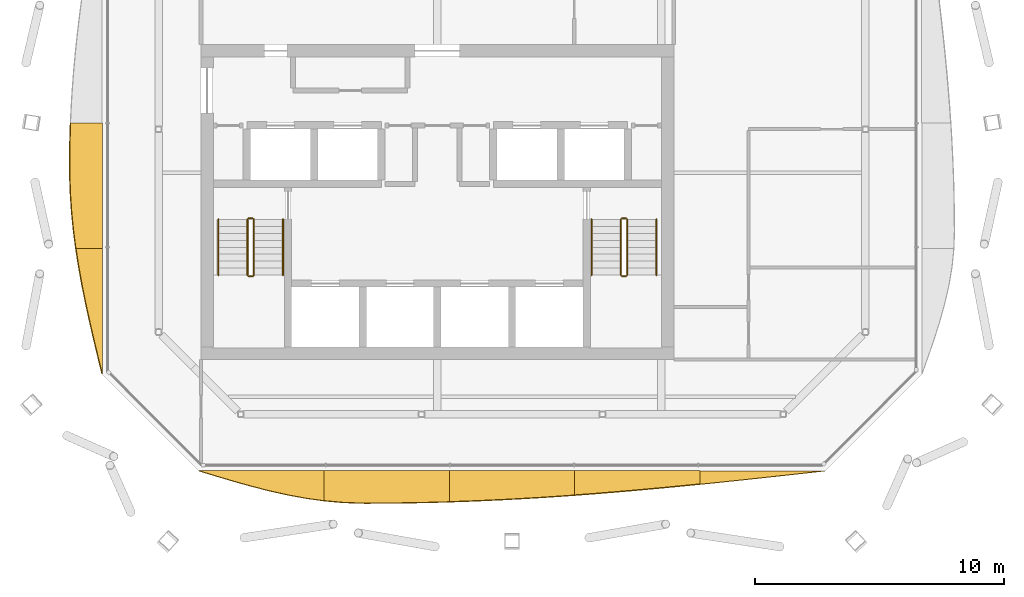
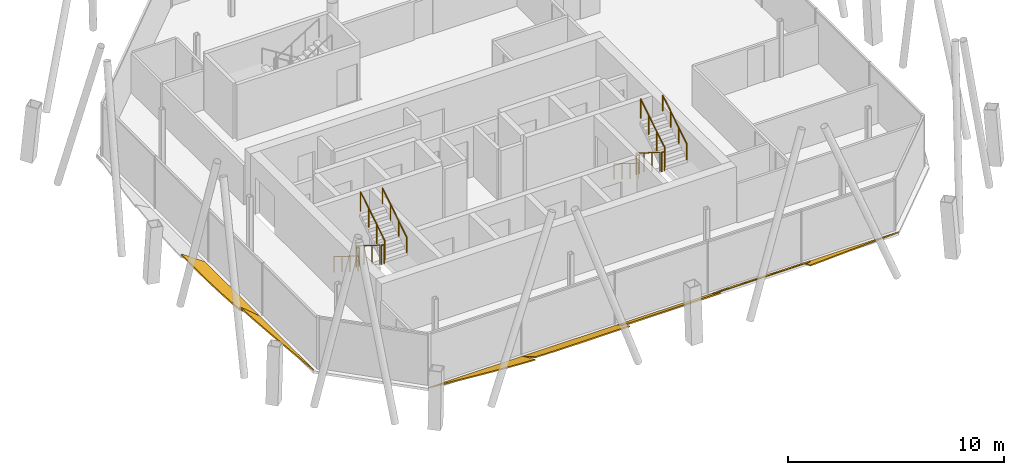
# One storey, part 12 of 14: 12 railings, 7 shading devices.
"""IFC4 building model written with IfcOpenShell, lengths in metres."""

import ifcopenshell
import ifcopenshell.guid

model = None  # the IFC model being written
_history = None  # IfcOwnerHistory: only IFC2X3 demands one
_inside = {}  # id of a spatial element -> (the spatial element, [elements in it])
_under = {}  # id of a project, library or spatial element -> (it, [spatial elements below it])
_declared = {}  # id of a project -> (the project, [libraries it declares])
_typed = {}  # id of a type object -> (the type object, [elements of that type])
_made_of = {}  # id of a material, layer set ... -> (it, [elements and type objects made of it])


def new_model(schema):
    """Start an empty IFC model of exactly this schema.

    Asked for "IFC4X3", IfcOpenShell would pick the latest addendum, in which some entities
    have other attributes; the version numbers below select the first issue.
    IFC2X3 requires an IfcOwnerHistory on every rooted entity: one is made here for all.
    """
    global model, _history
    if schema == "IFC4X3":
        model = ifcopenshell.file(schema_version=(4, 3, 0, 0))
    else:
        model = ifcopenshell.file(schema=schema)
    _inside.clear()
    _under.clear()
    _declared.clear()
    _typed.clear()
    _made_of.clear()
    _history = None
    if model.schema == "IFC2X3":
        org = make("IfcOrganization", Name="unknown")
        user = make(
            "IfcPersonAndOrganization",
            ThePerson=make("IfcPerson", FamilyName="unknown"),
            TheOrganization=org,
        )
        app = make(
            "IfcApplication",
            ApplicationDeveloper=org,
            Version="unknown",
            ApplicationFullName="unknown",
            ApplicationIdentifier="unknown",
        )
        _history = make(
            "IfcOwnerHistory",
            OwningUser=user,
            OwningApplication=app,
            ChangeAction="ADDED",
            CreationDate=0,
        )
    return model


def make(cls, **values):
    """One entity of the class cls with the attributes given. An attribute that is None is left unset."""
    return model.create_entity(
        cls, **{name: value for name, value in values.items() if value is not None}
    )


def rooted(cls, **values):
    """An entity with a GlobalId (a new one), such as an element, a storey or a relation."""
    return make(cls, GlobalId=ifcopenshell.guid.new(), OwnerHistory=_history, **values)


def si_unit(unit_type, name, prefix=None):
    """IfcSIUnit, for example si_unit("LENGTHUNIT", "METRE", prefix="MILLI")."""
    return make("IfcSIUnit", UnitType=unit_type, Prefix=prefix, Name=name)


def assignment(units):
    """IfcUnitAssignment: the units of a project."""
    return None if units is None else make("IfcUnitAssignment", Units=units)


def point(xyz):
    """IfcCartesianPoint."""
    return None if xyz is None else make("IfcCartesianPoint", Coordinates=xyz)


def direction(xyz):
    """IfcDirection."""
    return None if xyz is None else make("IfcDirection", DirectionRatios=xyz)


def frame(location, z_axis=None, x_axis=None):
    """IfcAxis2Placement3D, a coordinate frame: its origin and axes. An axis left out is left unset."""
    return make(
        "IfcAxis2Placement3D",
        Location=point(location),
        Axis=direction(z_axis),
        RefDirection=direction(x_axis),
    )


def frame_2d(location, x_axis=None):
    """IfcAxis2Placement2D, a coordinate frame in the plane: its origin and x axis."""
    return make(
        "IfcAxis2Placement2D", Location=point(location), RefDirection=direction(x_axis)
    )


def origin():
    """The frame at (0, 0, 0) with its axes left unset."""
    return frame((0.0, 0.0, 0.0))


def origin_2d():
    """The frame at (0, 0) in the plane with its x axis left unset."""
    return frame_2d((0.0, 0.0))


def place(relative_to, where):
    """IfcLocalPlacement: puts the frame where relative to a parent placement (None: the world)."""
    return make(
        "IfcLocalPlacement", PlacementRelTo=relative_to, RelativePlacement=where
    )


def context(
    kind, dimensions, precision=None, world=None, true_north=None, identifier=None
):
    """IfcGeometricRepresentationContext, for example the 3D "Model" context."""
    return make(
        "IfcGeometricRepresentationContext",
        ContextIdentifier=identifier,
        ContextType=kind,
        CoordinateSpaceDimension=dimensions,
        Precision=precision,
        WorldCoordinateSystem=world,
        TrueNorth=true_north,
    )


def subcontext(parent, identifier, kind, view, scale=None):
    """IfcGeometricRepresentationSubContext, for example "Body" below "Model"."""
    return make(
        "IfcGeometricRepresentationSubContext",
        ContextIdentifier=identifier,
        ContextType=kind,
        ParentContext=parent,
        TargetScale=scale,
        TargetView=view,
    )


def project(units=None, contexts=None):
    """IfcProject with its units and contexts."""
    return rooted(
        "IfcProject",
        Name="project",
        RepresentationContexts=contexts,
        UnitsInContext=assignment(units),
    )


def spatial(cls, under=None, at=None, **own):
    """A site, building, storey or space (cls), placed at a placement, below another one or the project."""
    s = rooted(cls, ObjectPlacement=at, **own)
    if under is not None:
        _under.setdefault(under.id(), (under, []))[1].append(s)
    return s


def polyline(points):
    """IfcPolyline through the points."""
    return make("IfcPolyline", Points=[point(p) for p in points])


def profile(cls, at=None, kind="AREA", **sizes):
    """A parametric profile (cls). Its sizes go by their IFC names, for example OverallWidth=200.0."""
    return make(cls, ProfileType=kind, Position=at, **sizes)


def circle(**sizes):
    """IfcCircleProfileDef."""
    return profile("IfcCircleProfileDef", **sizes)


def outline(outer, holes=None, kind="AREA"):
    """IfcArbitraryClosedProfileDef: a profile drawn as a closed curve; with holes, ...WithVoids."""
    if holes is None:
        return make("IfcArbitraryClosedProfileDef", ProfileType=kind, OuterCurve=outer)
    return make(
        "IfcArbitraryProfileDefWithVoids",
        ProfileType=kind,
        OuterCurve=outer,
        InnerCurves=holes,
    )


def extrude(swept, where, along, depth):
    """IfcExtrudedAreaSolid: the profile swept, set in the frame where, extruded along a direction by depth."""
    return make(
        "IfcExtrudedAreaSolid",
        SweptArea=swept,
        Position=where,
        ExtrudedDirection=direction(along),
        Depth=depth,
    )


def shape(context_of_items, identifier, shape_type, items):
    """IfcShapeRepresentation: the items that make up one representation, for example the "Body"."""
    return make(
        "IfcShapeRepresentation",
        ContextOfItems=context_of_items,
        RepresentationIdentifier=identifier,
        RepresentationType=shape_type,
        Items=items,
    )


def material(Name=None, Category=None):
    """IfcMaterial."""
    return make("IfcMaterial", Name=Name, Category=Category)


def layer(
    of_material, thickness, ventilated=None, Name=None, Category=None, Priority=None
):
    """IfcMaterialLayer: one layer of a wall or slab, of a material (None: an air gap)."""
    return make(
        "IfcMaterialLayer",
        Material=of_material,
        LayerThickness=thickness,
        IsVentilated=ventilated,
        Name=Name,
        Category=Category,
        Priority=Priority,
    )


def layer_set(layers, Name=None):
    """IfcMaterialLayerSet."""
    return make("IfcMaterialLayerSet", MaterialLayers=layers, LayerSetName=Name)


def made_of(thing, what):
    """Note that an element or type object is made of a material, layer set ...; save() writes the relation."""
    if what is not None:
        _made_of.setdefault(what.id(), (what, []))[1].append(thing)
    return thing


def type_object(cls, material=None, **own):
    """A type object (cls), such as IfcWallType, which elements share."""
    return made_of(rooted(cls, **own), material)


def element(
    cls,
    number,
    at=None,
    inside=None,
    cuts=None,
    type_object=None,
    material=None,
    context=None,
    identifier="Body",
    shape_type=None,
    held_by="IfcProductDefinitionShape",
    body=None,
    shapes=None,
    **own,
):
    """One element of the class cls, such as IfcWall. Its Tag is "e" and its number.

    at: its placement. inside: the storey or other place that contains it. cuts: it is an
    opening in that element (IfcRelVoidsElement). A single representation is given by context,
    identifier, shape_type and body (its items); several are given by shapes. held_by: the class
    of the entity that holds the representations. save() writes the other relations.
    """
    e = rooted(cls, Tag="e%d" % number, ObjectPlacement=at, **own)
    if body is not None:
        shapes = [shape(context, identifier, shape_type, body)]
    if shapes is not None:
        e.Representation = make(held_by, Representations=shapes)
    if inside is not None:
        _inside.setdefault(inside.id(), (inside, []))[1].append(e)
    if cuts is not None:
        rooted(
            "IfcRelVoidsElement", RelatingBuildingElement=cuts, RelatedOpeningElement=e
        )
    if type_object is not None:
        _typed.setdefault(type_object.id(), (type_object, []))[1].append(e)
    return made_of(e, material)


def aggregate(whole, parts):
    """IfcRelAggregates: a whole, such as a stair, and the parts it consists of."""
    return rooted("IfcRelAggregates", RelatingObject=whole, RelatedObjects=parts)


def save(model, path):
    """Write the relations noted so far, then the file.

    IfcRelAggregates (storeys below a building ...), IfcRelContainedInSpatialStructure (elements
    in a storey), IfcRelDefinesByType, IfcRelAssociatesMaterial and IfcRelDeclares: one each for
    every whole, place, type object, material and project.
    """
    for whole, parts in _under.values():
        aggregate(whole, parts)
    for where, things in _inside.values():
        rooted(
            "IfcRelContainedInSpatialStructure",
            RelatedElements=things,
            RelatingStructure=where,
        )
    for kind, things in _typed.values():
        rooted("IfcRelDefinesByType", RelatedObjects=things, RelatingType=kind)
    for what, things in _made_of.values():
        rooted("IfcRelAssociatesMaterial", RelatedObjects=things, RelatingMaterial=what)
    for by, libraries in _declared.values():
        rooted("IfcRelDeclares", RelatingContext=by, RelatedDefinitions=libraries)
    model.write(path)


model = new_model("IFC4")

# Units and contexts
model_context = context("Model", 3, precision=1e-05, world=origin(), true_north=direction((0.0, 1.0)))
body_context = subcontext(model_context, "Body", "Model", "MODEL_VIEW")
ifc_project = project(units=[si_unit("LENGTHUNIT", "METRE"), si_unit("AREAUNIT", "SQUARE_METRE"), si_unit("VOLUMEUNIT", "CUBIC_METRE"), si_unit("PLANEANGLEUNIT", "RADIAN"), si_unit("MASSUNIT", "GRAM", prefix="KILO")], contexts=[model_context])

# Site, building, storey
site_placement = place(None, origin())
site = spatial("IfcSite", under=ifc_project, at=site_placement, CompositionType="ELEMENT")
building_placement = place(site_placement, origin())
building = spatial("IfcBuilding", under=site, at=building_placement, Name="Tskaro Facet Tower", CompositionType="ELEMENT")
storey_placement = place(building_placement, frame((0.0, 0.0, 268.949951171875)))
storey = spatial("IfcBuildingStorey", under=building, at=storey_placement, Name="L71", CompositionType="ELEMENT", Elevation=268.949951171875)

# Shading devices
ifc_material_1 = material(Name="Bronze anodised aluminium 6063-T6", Category="aluminium")
ifc_layer = layer(ifc_material_1, 0.06005859375, Name="Bronze anodised aluminium 6063-T6")
ifc_layer_set = layer_set([ifc_layer], Name="Bronze anodised aluminium 6063-T6")
shading_device_type = type_object("IfcShadingDeviceType", Name="Bronze sun blade (FN1)", PredefinedType="USERDEFINED", material=ifc_layer_set)
shading_device_1_placement = place(storey_placement, frame((-9.5830078125, -16.470703125, 0.054443359375), z_axis=(2.4257375e-05, 0.422634680311, 0.906300130426), x_axis=(0.999999999706, -1.0252008e-05, -2.1984462e-05)))
element("IfcShadingDevice", 1, at=shading_device_1_placement, inside=storey, type_object=shading_device_type, Name="Fin blade south 1", ObjectType="FIN", PredefinedType="USERDEFINED", context=body_context, shape_type="SweptSolid", body=[
    extrude(outline(polyline([(0.0, 0.0), (5.033203123519181, -8.52657775419661e-21), (5.033203126747317, -1.331222058009171), (4.314208982783316, -1.2205744560370553), (3.5952148433464566, -1.0750895903037356), (2.8762207001779405, -0.8992363363499825), (2.156982420134507, -0.6977197344872006), (1.4379882804902036, -0.4765426129282865), (0.7189941420115952, -0.2416046175911089), (0.0, 0.0)])), origin(), (0.0, 0.0, -1.0), 0.06005859375),
])
shading_device_2_placement = place(storey_placement, frame((-4.5498046875, -16.466064453125, 0.052001953125), z_axis=(-1.7977425e-05, 0.500026301358, 0.866010217969), x_axis=(0.999999999838, 8.989185e-06, 1.5568633e-05)))
element("IfcShadingDevice", 2, at=shading_device_2_placement, inside=storey, type_object=shading_device_type, Name="Fin blade south 2", ObjectType="FIN", PredefinedType="USERDEFINED", context=body_context, shape_type="SweptSolid", body=[
    extrude(outline(polyline([(0.0, 0.0), (5.033203124186666, 0.0), (5.033203125896043, -1.444583540905426), (4.314208981877317, -1.467869694291823), (3.5952148437417373, -1.485706514822612), (2.876220701692807, -1.4980612773061988), (2.1569824211011275, -1.504844630200428), (1.6608886738056, -1.5060565735052993), (1.4379882795743164, -1.5039661919052119), (0.7189941429388984, -1.4694151426063498), (-1.7680263669071257e-09, -1.393163460913147), (0.0, 0.0)])), origin(), (0.0, 0.0, -1.0), 0.06005859375),
])
shading_device_3_placement = place(storey_placement, frame((0.4833984375, -16.461669921875, 0.04931640625), z_axis=(1.13459e-05, 0.573547654228, 0.819172196916), x_axis=(0.999999999936, -6.507414e-06, -9.294246e-06)))
element("IfcShadingDevice", 3, at=shading_device_3_placement, inside=storey, type_object=shading_device_type, Name="Fin blade south 3", ObjectType="FIN", PredefinedType="USERDEFINED", context=body_context, shape_type="SweptSolid", body=[
    extrude(outline(polyline([(0.0, 0.0), (5.03320312467604, -4.263288877098305e-21), (5.0332031249622595, -1.2025468598800737), (4.314208984909892, -1.2639092463033612), (3.5952148437176925, -1.3208714717165937), (2.8762207027464175, -1.3727534971299107), (2.156982422051461, -1.419215303048382), (1.4379882799333101, -1.4607369352497173), (0.7189941409855656, -1.4966983216734273), (-9.18702871376397e-10, -1.5271795216729205), (0.0, 0.0)])), origin(), (0.0, 0.0, -1.0), 0.06005859375),
])
shading_device_4_placement = place(storey_placement, frame((5.5166015625, -16.45751953125, 0.0458984375), z_axis=(-1.5875348e-05, 0.642866551812, 0.765978195714), x_axis=(0.999999999874, 1.020573e-05, 1.216017e-05)))
element("IfcShadingDevice", 4, at=shading_device_4_placement, inside=storey, type_object=shading_device_type, Name="Fin blade south 4", ObjectType="FIN", PredefinedType="USERDEFINED", context=body_context, shape_type="SweptSolid", body=[
    extrude(outline(polyline([(0.0, 0.0), (5.033203124365749, -8.52657775419661e-21), (5.033203125335776, -0.7066768342736549), (4.314208985075541, -0.8000793692194978), (3.595214843489673, -0.8905432478720208), (2.8762207025926476, -0.9775375075985298), (2.1569824212823367, -1.0607181921617925), (1.4379882808086792, -1.1400853015618089), (0.718994140069548, -1.2152948795613467), (-1.4122155814699587e-09, -1.2860029699231736), (0.0, 0.0)])), origin(), (0.0, 0.0, -1.0), 0.06005859375),
])
shading_device_5_placement = place(storey_placement, frame((10.5498046875, -16.4755859375, 0.056396484375), z_axis=(-1.8106046e-05, 0.342198005863, 0.939627864878), x_axis=(0.999999999836, 6.195853e-06, 1.7012945e-05)))
element("IfcShadingDevice", 5, at=shading_device_5_placement, inside=storey, type_object=shading_device_type, Name="Fin blade south 5", ObjectType="FIN", PredefinedType="USERDEFINED", context=body_context, shape_type="SweptSolid", body=[
    extrude(outline(polyline([(0.0, 0.0), (5.033203124174985, -4.263288877098305e-21), (4.314208984813461, -0.08472662273068206), (3.5952148428110466, -0.16914029969208896), (2.8762207038339502, -0.253095173985023), (2.156982421975429, -0.3359653540709339), (1.4379882784854032, -0.41775083994982165), (0.7189941414304419, -0.4978469720540158), (-1.6501080943571273e-09, -0.5760031170784), (0.0, 0.0)])), origin(), (0.0, 0.0, -1.0), 0.06005859375),
])
shading_device_6_placement = place(storey_placement, frame((-13.461669921875, -2.510986328125, 0.04931640625), z_axis=(0.573528920486, -1.1831631e-05, 0.819185313117), x_axis=(-6.785782e-06, -0.99999999993, -9.692298e-06)))
element("IfcShadingDevice", 6, at=shading_device_6_placement, inside=storey, type_object=shading_device_type, Name="Fin blade west 3", ObjectType="FIN", PredefinedType="USERDEFINED", context=body_context, shape_type="SweptSolid", body=[
    extrude(outline(polyline([(0.0, 0.0), (5.036132812147502, 0.0), (5.03613281315078, -1.2895102417914883), (4.316650390015832, -1.403434690115098), (3.5971679687492673, -1.491618122548799), (2.8776855474569127, -1.5529805100169694), (2.158203124954194, -1.5861018053205245), (1.6921386718675466, -1.592062037535087), (1.438964843522779, -1.591182004873814), (0.7194824207395897, -1.5787215259068779), (-4.012420805868031e-10, -1.5515604628178852), (0.0, 0.0)])), origin(), (0.0, 0.0, -1.0), 0.06005859375),
])
shading_device_7_placement = place(storey_placement, frame((-13.45751953125, -7.547119140625, 0.0458984375), z_axis=(0.642900939719, 3.2404048e-05, 0.765949332958), x_axis=(2.0832593e-05, -0.999999999475, 2.4819859e-05)))
element("IfcShadingDevice", 7, at=shading_device_7_placement, inside=storey, type_object=shading_device_type, Name="Fin blade west 4", ObjectType="FIN", PredefinedType="USERDEFINED", context=body_context, shape_type="SweptSolid", body=[
    extrude(outline(polyline([(0.0, 0.0), (5.0358886692311025, -1.7062254495131302e-20), (4.3164062498269145, -0.22891134965978385), (3.5969238298869013, -0.45366516717252175), (2.8776855444140264, -0.6702909197401326), (2.15820312276834, -0.8746010341039241), (1.4387207009262593, -1.0629689350520986), (0.7192382812723199, -1.2322689631964598), (-5.303142431252786e-09, -1.379061542674175), (0.0, 0.0)])), origin(), (0.0, 0.0, -1.0), 0.06005859375),
])

# Railings
ifc_material_2 = material(Name="Stainless steel", Category="steel")
railing_type_1 = type_object("IfcRailingType", Name="RL-GUARD-1100", PredefinedType="GUARDRAIL", material=ifc_material_2)
railing_1_placement = place(storey_placement, frame((-7.625, -6.375, 0.175048828125)))
element("IfcRailing", 8, at=railing_1_placement, inside=storey, type_object=railing_type_1, Name="L71 ST-1 stair guard 1", PredefinedType="GUARDRAIL", context=body_context, shape_type="SweptSolid", body=[
    extrude(circle(Radius=0.02392578125, at=origin_2d()), frame((0.0, 0.0, 1.076171875), z_axis=(0.0, -0.848013881152, 0.529974015752), x_axis=(1.0, 0.0, 0.0)), (0.0, 0.0, 1.0), 2.641357421875),
    extrude(circle(Radius=0.02099609375, at=origin_2d()), origin(), (0.0, 0.0, 1.0), 1.052001953125),
    extrude(circle(Radius=0.02099609375, at=origin_2d()), frame((0.0, -0.74658203125, 0.466552734375)), (0.0, 0.0, 1.0), 1.052001953125),
    extrude(circle(Radius=0.02099609375, at=origin_2d()), frame((0.0, -1.493408203125, 0.933349609375)), (0.0, 0.0, 1.0), 1.052001953125),
    extrude(circle(Radius=0.02099609375, at=origin_2d()), frame((0.0, -2.239990234375, 1.39990234375)), (0.0, 0.0, 1.0), 1.052001953125),
])
railing_2_placement = place(storey_placement, frame((-7.574951171875, -8.6650390625, 1.574951171875)))
element("IfcRailing", 9, at=railing_2_placement, inside=storey, type_object=railing_type_1, Name="L71 ST-1 stair guard 2", PredefinedType="GUARDRAIL", context=body_context, shape_type="SweptSolid", body=[
    extrude(circle(Radius=0.02392578125, at=origin_2d()), frame((0.0, 0.0, 1.076171875), z_axis=(1.0, 0.0, 0.0), x_axis=(0.0, 1.0, 0.0)), (0.0, 0.0, 1.0), 0.14990234375),
    extrude(circle(Radius=0.02099609375, at=origin_2d()), origin(), (0.0, 0.0, 1.0), 1.052001953125),
    extrude(circle(Radius=0.02099609375, at=origin_2d()), frame((0.14990234375, 0.0, 0.0)), (0.0, 0.0, 1.0), 1.052001953125),
])
railing_3_placement = place(storey_placement, frame((-7.375, -8.614990234375, 1.75)))
element("IfcRailing", 10, at=railing_3_placement, inside=storey, type_object=railing_type_1, Name="L71 ST-1 stair guard 3", PredefinedType="GUARDRAIL", context=body_context, shape_type="SweptSolid", body=[
    extrude(circle(Radius=0.02392578125, at=origin_2d()), frame((0.0, 0.0, 1.076171875), z_axis=(0.0, 0.847972341737, 0.530040477369), x_axis=(-1.0, 0.0, 0.0)), (0.0, 0.0, 1.0), 2.6416015625),
    extrude(circle(Radius=0.02099609375, at=origin_2d()), origin(), (0.0, 0.0, 1.0), 1.052001953125),
    extrude(circle(Radius=0.02099609375, at=origin_2d()), frame((0.0, 0.74658203125, 0.466796875)), (0.0, 0.0, 1.0), 1.052001953125),
    extrude(circle(Radius=0.02099609375, at=origin_2d()), frame((0.0, 1.493408203125, 0.933349609375)), (0.0, 0.0, 1.0), 1.052001953125),
    extrude(circle(Radius=0.02099609375, at=origin_2d()), frame((0.0, 2.239990234375, 1.400146484375)), (0.0, 0.0, 1.0), 1.052001953125),
])
railing_4_placement = place(storey_placement, frame((-7.574951171875, -6.324951171875, 0.0)))
element("IfcRailing", 11, at=railing_4_placement, inside=storey, type_object=railing_type_1, Name="L71 ST-1 stair guard 4", PredefinedType="GUARDRAIL", context=body_context, shape_type="SweptSolid", body=[
    extrude(circle(Radius=0.02392578125, at=origin_2d()), frame((0.0, 0.0, 1.076171875), z_axis=(1.0, 0.0, 0.0), x_axis=(0.0, 1.0, 0.0)), (0.0, 0.0, 1.0), 0.14990234375),
    extrude(circle(Radius=0.02099609375, at=origin_2d()), origin(), (0.0, 0.0, 1.0), 1.052001953125),
    extrude(circle(Radius=0.02099609375, at=origin_2d()), frame((0.14990234375, 0.0, 0.0)), (0.0, 0.0, 1.0), 1.052001953125),
])
railing_5_placement = place(storey_placement, frame((7.375, -6.375, 0.175048828125)))
element("IfcRailing", 12, at=railing_5_placement, inside=storey, type_object=railing_type_1, Name="L71 ST-2 stair guard 1", PredefinedType="GUARDRAIL", context=body_context, shape_type="SweptSolid", body=[
    extrude(circle(Radius=0.02392578125, at=origin_2d()), frame((0.0, 0.0, 1.076171875), z_axis=(0.0, -0.848013881152, 0.529974015752), x_axis=(1.0, 0.0, 0.0)), (0.0, 0.0, 1.0), 2.641357421875),
    extrude(circle(Radius=0.02099609375, at=origin_2d()), origin(), (0.0, 0.0, 1.0), 1.052001953125),
    extrude(circle(Radius=0.02099609375, at=origin_2d()), frame((0.0, -0.74658203125, 0.466552734375)), (0.0, 0.0, 1.0), 1.052001953125),
    extrude(circle(Radius=0.02099609375, at=origin_2d()), frame((0.0, -1.493408203125, 0.933349609375)), (0.0, 0.0, 1.0), 1.052001953125),
    extrude(circle(Radius=0.02099609375, at=origin_2d()), frame((0.0, -2.239990234375, 1.39990234375)), (0.0, 0.0, 1.0), 1.052001953125),
])
railing_6_placement = place(storey_placement, frame((7.425048828125, -8.6650390625, 1.574951171875)))
element("IfcRailing", 13, at=railing_6_placement, inside=storey, type_object=railing_type_1, Name="L71 ST-2 stair guard 2", PredefinedType="GUARDRAIL", context=body_context, shape_type="SweptSolid", body=[
    extrude(circle(Radius=0.02392578125, at=origin_2d()), frame((0.0, 0.0, 1.076171875), z_axis=(1.0, 0.0, 0.0), x_axis=(0.0, 1.0, 0.0)), (0.0, 0.0, 1.0), 0.14990234375),
    extrude(circle(Radius=0.02099609375, at=origin_2d()), origin(), (0.0, 0.0, 1.0), 1.052001953125),
    extrude(circle(Radius=0.02099609375, at=origin_2d()), frame((0.14990234375, 0.0, 0.0)), (0.0, 0.0, 1.0), 1.052001953125),
])
railing_7_placement = place(storey_placement, frame((7.625, -8.614990234375, 1.75)))
element("IfcRailing", 14, at=railing_7_placement, inside=storey, type_object=railing_type_1, Name="L71 ST-2 stair guard 3", PredefinedType="GUARDRAIL", context=body_context, shape_type="SweptSolid", body=[
    extrude(circle(Radius=0.02392578125, at=origin_2d()), frame((0.0, 0.0, 1.076171875), z_axis=(0.0, 0.847972341737, 0.530040477369), x_axis=(-1.0, 0.0, 0.0)), (0.0, 0.0, 1.0), 2.6416015625),
    extrude(circle(Radius=0.02099609375, at=origin_2d()), origin(), (0.0, 0.0, 1.0), 1.052001953125),
    extrude(circle(Radius=0.02099609375, at=origin_2d()), frame((0.0, 0.74658203125, 0.466796875)), (0.0, 0.0, 1.0), 1.052001953125),
    extrude(circle(Radius=0.02099609375, at=origin_2d()), frame((0.0, 1.493408203125, 0.933349609375)), (0.0, 0.0, 1.0), 1.052001953125),
    extrude(circle(Radius=0.02099609375, at=origin_2d()), frame((0.0, 2.239990234375, 1.400146484375)), (0.0, 0.0, 1.0), 1.052001953125),
])
railing_8_placement = place(storey_placement, frame((7.425048828125, -6.324951171875, 0.0)))
element("IfcRailing", 15, at=railing_8_placement, inside=storey, type_object=railing_type_1, Name="L71 ST-2 stair guard 4", PredefinedType="GUARDRAIL", context=body_context, shape_type="SweptSolid", body=[
    extrude(circle(Radius=0.02392578125, at=origin_2d()), frame((0.0, 0.0, 1.076171875), z_axis=(1.0, 0.0, 0.0), x_axis=(0.0, 1.0, 0.0)), (0.0, 0.0, 1.0), 0.14990234375),
    extrude(circle(Radius=0.02099609375, at=origin_2d()), origin(), (0.0, 0.0, 1.0), 1.052001953125),
    extrude(circle(Radius=0.02099609375, at=origin_2d()), frame((0.14990234375, 0.0, 0.0)), (0.0, 0.0, 1.0), 1.052001953125),
])
railing_type_2 = type_object("IfcRailingType", Name="RL-HANDRAIL-900", PredefinedType="HANDRAIL", material=ifc_material_2)
railing_9_placement = place(storey_placement, frame((-8.800048828125, -6.375, 0.175048828125)))
element("IfcRailing", 16, at=railing_9_placement, inside=storey, type_object=railing_type_2, Name="L71 ST-1 stair handrail 1", PredefinedType="HANDRAIL", context=body_context, shape_type="SweptSolid", body=[
    extrude(circle(Radius=0.02392578125, at=origin_2d()), frame((0.0, 0.0, 0.8759765625), z_axis=(0.0, -0.848013881152, 0.529974015752), x_axis=(1.0, 0.0, 0.0)), (0.0, 0.0, 1.0), 2.641357421875),
    extrude(circle(Radius=0.02099609375, at=origin_2d()), origin(), (0.0, 0.0, 1.0), 0.851806640625),
    extrude(circle(Radius=0.02099609375, at=origin_2d()), frame((0.0, -0.74658203125, 0.466552734375)), (0.0, 0.0, 1.0), 0.851806640625),
    extrude(circle(Radius=0.02099609375, at=origin_2d()), frame((0.0, -1.493408203125, 0.933349609375)), (0.0, 0.0, 1.0), 0.851806640625),
    extrude(circle(Radius=0.02099609375, at=origin_2d()), frame((0.0, -2.239990234375, 1.39990234375)), (0.0, 0.0, 1.0), 0.851806640625),
])
railing_10_placement = place(storey_placement, frame((-6.199951171875, -8.614990234375, 1.75)))
element("IfcRailing", 17, at=railing_10_placement, inside=storey, type_object=railing_type_2, Name="L71 ST-1 stair handrail 2", PredefinedType="HANDRAIL", context=body_context, shape_type="SweptSolid", body=[
    extrude(circle(Radius=0.02392578125, at=origin_2d()), frame((0.0, 0.0, 0.8759765625), z_axis=(0.0, 0.847972341737, 0.530040477369), x_axis=(-1.0, 0.0, 0.0)), (0.0, 0.0, 1.0), 2.6416015625),
    extrude(circle(Radius=0.02099609375, at=origin_2d()), origin(), (0.0, 0.0, 1.0), 0.851806640625),
    extrude(circle(Radius=0.02099609375, at=origin_2d()), frame((0.0, 0.74658203125, 0.466796875)), (0.0, 0.0, 1.0), 0.851806640625),
    extrude(circle(Radius=0.02099609375, at=origin_2d()), frame((0.0, 1.493408203125, 0.933349609375)), (0.0, 0.0, 1.0), 0.851806640625),
    extrude(circle(Radius=0.02099609375, at=origin_2d()), frame((0.0, 2.239990234375, 1.400146484375)), (0.0, 0.0, 1.0), 0.851806640625),
])
railing_11_placement = place(storey_placement, frame((6.199951171875, -6.375, 0.175048828125)))
element("IfcRailing", 18, at=railing_11_placement, inside=storey, type_object=railing_type_2, Name="L71 ST-2 stair handrail 1", PredefinedType="HANDRAIL", context=body_context, shape_type="SweptSolid", body=[
    extrude(circle(Radius=0.02392578125, at=origin_2d()), frame((0.0, 0.0, 0.8759765625), z_axis=(0.0, -0.848013881152, 0.529974015752), x_axis=(1.0, 0.0, 0.0)), (0.0, 0.0, 1.0), 2.641357421875),
    extrude(circle(Radius=0.02099609375, at=origin_2d()), origin(), (0.0, 0.0, 1.0), 0.851806640625),
    extrude(circle(Radius=0.02099609375, at=origin_2d()), frame((0.0, -0.74658203125, 0.466552734375)), (0.0, 0.0, 1.0), 0.851806640625),
    extrude(circle(Radius=0.02099609375, at=origin_2d()), frame((0.0, -1.493408203125, 0.933349609375)), (0.0, 0.0, 1.0), 0.851806640625),
    extrude(circle(Radius=0.02099609375, at=origin_2d()), frame((0.0, -2.239990234375, 1.39990234375)), (0.0, 0.0, 1.0), 0.851806640625),
])
railing_12_placement = place(storey_placement, frame((8.800048828125, -8.614990234375, 1.75)))
element("IfcRailing", 19, at=railing_12_placement, inside=storey, type_object=railing_type_2, Name="L71 ST-2 stair handrail 2", PredefinedType="HANDRAIL", context=body_context, shape_type="SweptSolid", body=[
    extrude(circle(Radius=0.02392578125, at=origin_2d()), frame((0.0, 0.0, 0.8759765625), z_axis=(0.0, 0.847972341737, 0.530040477369), x_axis=(-1.0, 0.0, 0.0)), (0.0, 0.0, 1.0), 2.6416015625),
    extrude(circle(Radius=0.02099609375, at=origin_2d()), origin(), (0.0, 0.0, 1.0), 0.851806640625),
    extrude(circle(Radius=0.02099609375, at=origin_2d()), frame((0.0, 0.74658203125, 0.466796875)), (0.0, 0.0, 1.0), 0.851806640625),
    extrude(circle(Radius=0.02099609375, at=origin_2d()), frame((0.0, 1.493408203125, 0.933349609375)), (0.0, 0.0, 1.0), 0.851806640625),
    extrude(circle(Radius=0.02099609375, at=origin_2d()), frame((0.0, 2.239990234375, 1.400146484375)), (0.0, 0.0, 1.0), 0.851806640625),
])

save(model, "model.ifc")
